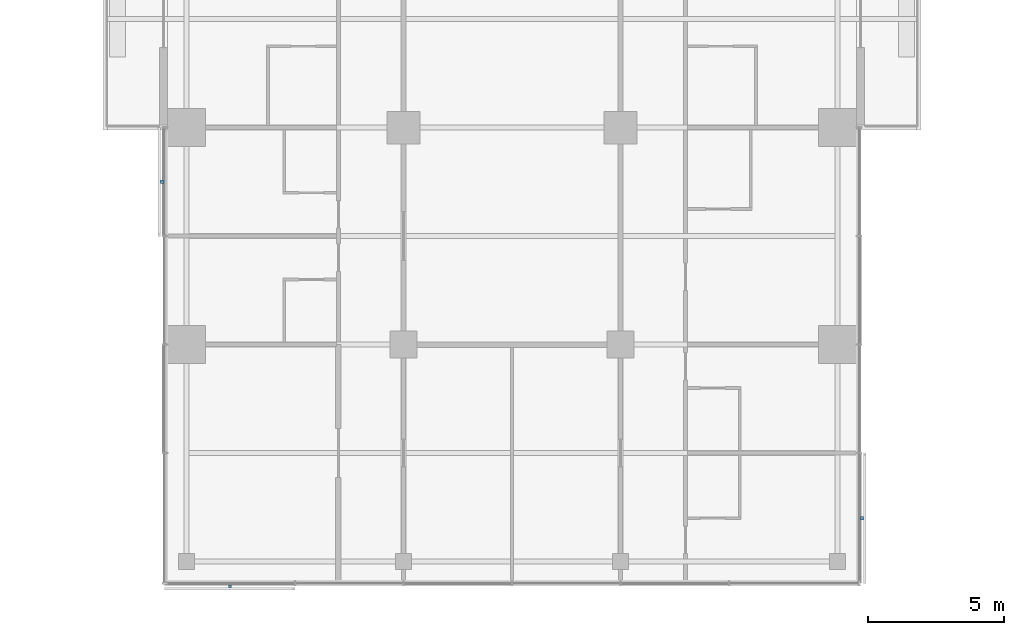
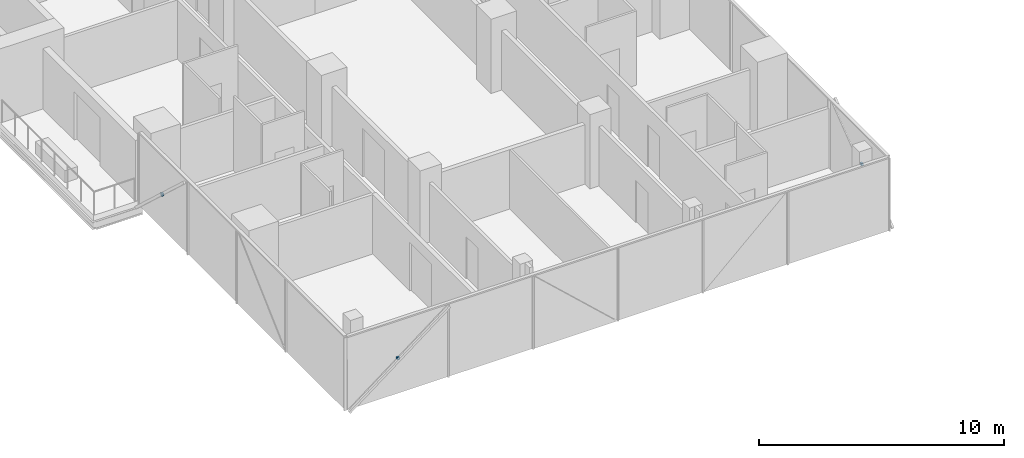
# One storey, part 23 of 27: 3 discrete accessories.
"""IFC4 building model written with IfcOpenShell, lengths in metres."""

from ifc_helpers import new_model, si_unit, direction, frame, origin, origin_2d, place, context, subcontext, project, spatial, rectangle, extrude, material, type_object, element, save


model = new_model("IFC4")

# Units and contexts
model_context = context("Model", 3, precision=1e-05, world=origin(), true_north=direction((0.0, 1.0)))
body_context = subcontext(model_context, "Body", "Model", "MODEL_VIEW")
ifc_project = project(units=[si_unit("LENGTHUNIT", "METRE"), si_unit("AREAUNIT", "SQUARE_METRE"), si_unit("VOLUMEUNIT", "CUBIC_METRE"), si_unit("PLANEANGLEUNIT", "RADIAN"), si_unit("MASSUNIT", "GRAM", prefix="KILO")], contexts=[model_context])

# Site, building, storey
site_placement = place(None, origin())
site = spatial("IfcSite", under=ifc_project, at=site_placement, CompositionType="ELEMENT")
building_placement = place(site_placement, origin())
building = spatial("IfcBuilding", under=site, at=building_placement, Name="Crosswind Convention Tower", CompositionType="ELEMENT")
storey_placement = place(building_placement, frame((0.0, 0.0, 68.300048828125)))
storey = spatial("IfcBuildingStorey", under=building, at=storey_placement, Name="L11", CompositionType="ELEMENT", Elevation=68.300048828125)

# Discrete accessories
ifc_material = material(Name="Stainless steel", Category="steel")
discrete_accessory_type = type_object("IfcDiscreteAccessoryType", Name="BAGUETTE BRACKET BK2", PredefinedType="BRACKET", material=ifc_material)
for number, where, z_axis, x_axis, name in (
    (1, (112.092041015625, 78.0, 1.477294921875), (0.0, 0.0, 1.0), (0.0, -1.0, 0.0), "BK2 baguette bracket"),
    (2, (114.60009765625, 63.092041015625, 1.477294921875), (0.0, 0.0, 1.0), (1.0, 0.0, 0.0), "BK2 baguette bracket"),
    (3, (137.907958984375, 65.60009765625, 1.477294921875), (0.0, 0.0, 1.0), (0.0, 1.0, 0.0), "BK2 baguette bracket"),
):
    element("IfcDiscreteAccessory", number, at=place(storey_placement, frame(where, z_axis=z_axis, x_axis=x_axis)), inside=storey, type_object=discrete_accessory_type, Name=name, PredefinedType="BRACKET", context=body_context, shape_type="SweptSolid", body=[
        extrude(rectangle(XDim=0.1201171875, YDim=0.10009765625, at=origin_2d()), origin(), (0.0, 0.0, 1.0), 0.1201171875),
    ])

save(model, "model.ifc")
